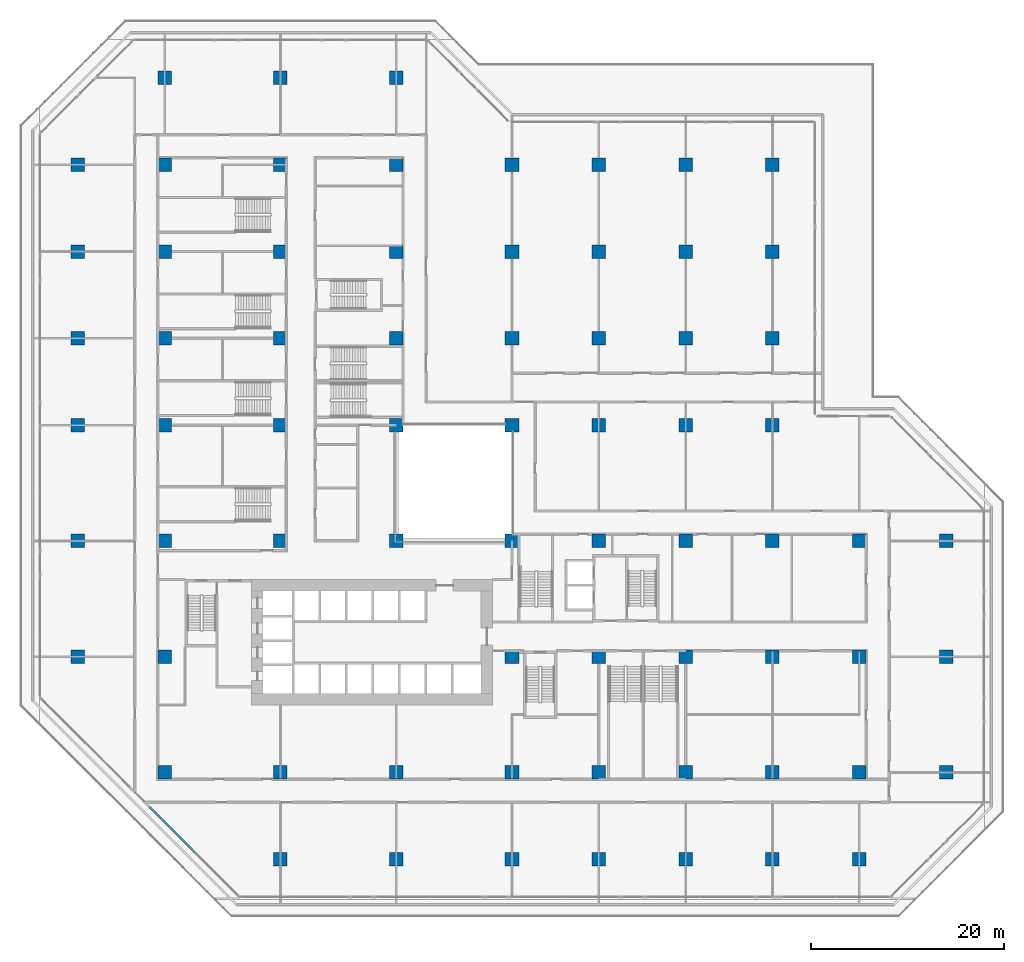
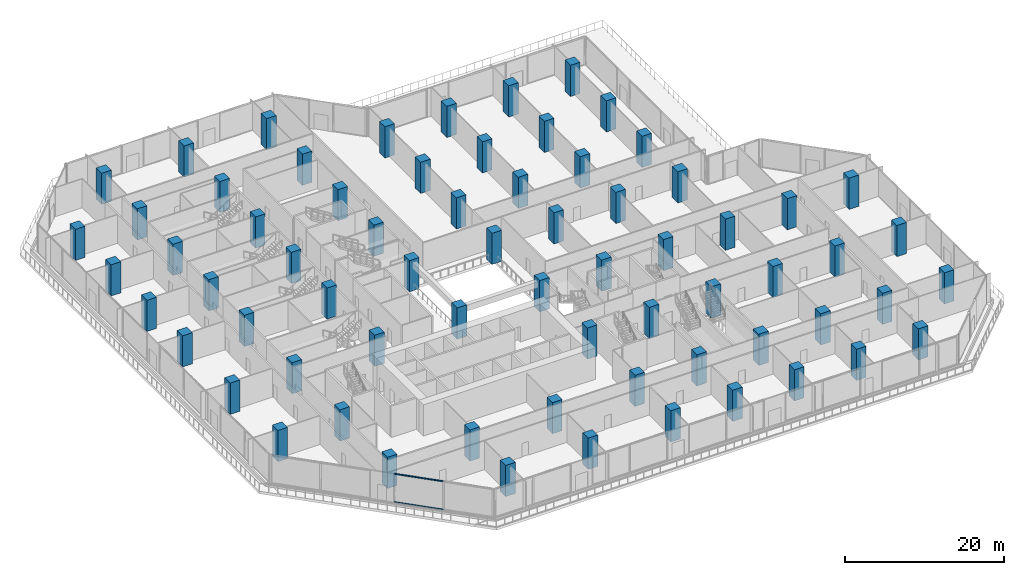
# One storey, part 1 of 31: 69 columns, 2 members, 1 element without a shape of its own.
"""IFC4 building model written with IfcOpenShell, lengths in metres."""

from ifc_helpers import new_model, si_unit, direction, frame, origin, origin_2d, place, context, subcontext, project, spatial, rectangle, extrude, material, layer, layer_set, material_profile, profile_set, type_object, element, aggregate, save


model = new_model("IFC4")

# Units and contexts
model_context = context("Model", 3, precision=1e-05, world=origin(), true_north=direction((0.0, 1.0)))
body_context = subcontext(model_context, "Body", "Model", "MODEL_VIEW")
ifc_project = project(units=[si_unit("LENGTHUNIT", "METRE"), si_unit("AREAUNIT", "SQUARE_METRE"), si_unit("VOLUMEUNIT", "CUBIC_METRE"), si_unit("PLANEANGLEUNIT", "RADIAN"), si_unit("MASSUNIT", "GRAM", prefix="KILO")], contexts=[model_context])

# Site, building, storey
site_placement = place(None, origin())
site = spatial("IfcSite", under=ifc_project, at=site_placement, CompositionType="ELEMENT")
building_placement = place(site_placement, origin())
building = spatial("IfcBuilding", under=site, at=building_placement, Name="Chenar Terraces", CompositionType="ELEMENT")
storey_placement = place(building_placement, frame((0.0, 0.0, 7.199951171875)))
storey = spatial("IfcBuildingStorey", under=building, at=storey_placement, Name="L01", CompositionType="ELEMENT", Elevation=7.199951171875)

# Columns
ifc_material_1 = material(Name="Concrete C60/75", Category="concrete")
ifc_material_profile_1 = material_profile(ifc_material_1, rectangle(XDim=1.39990234375, YDim=1.39990234375, at=origin_2d()), Name="C 1400 x 1400")
ifc_profile_set_1 = profile_set([ifc_material_profile_1], Name="Concrete C60/75")
column_type = type_object("IfcColumnType", Name="Column C 1400 x 1400 Concrete C60/75", PredefinedType="COLUMN", material=ifc_profile_set_1)
for number, where, z_axis, x_axis, name in (
    (1, (12.0, -9.0, 0.0), (0.0, 0.0, 1.0), (1.0, 0.0, 0.0), "Column 6/D L01"),
    (2, (24.0, -9.0, 0.0), (0.0, 0.0, 1.0), (1.0, 0.0, 0.0), "Column 7/D L01"),
    (3, (36.0, -9.0, 0.0), (0.0, 0.0, 1.0), (1.0, 0.0, 0.0), "Column 8/D L01"),
    (4, (45.0, -9.0, 0.0), (0.0, 0.0, 1.0), (1.0, 0.0, 0.0), "Column 9/D L01"),
    (5, (54.0, -9.0, 0.0), (0.0, 0.0, 1.0), (1.0, 0.0, 0.0), "Column 10/D L01"),
    (6, (63.0, -9.0, 0.0), (0.0, 0.0, 1.0), (1.0, 0.0, 0.0), "Column 11/D L01"),
    (7, (72.0, -9.0, 0.0), (0.0, 0.0, 1.0), (1.0, 0.0, 0.0), "Column 12/D L01"),
    (8, (0.0, 0.0, 0.0), (0.0, 0.0, 1.0), (1.0, 0.0, 0.0), "Column 5/E L01"),
    (9, (12.0, 0.0, 0.0), (0.0, 0.0, 1.0), (1.0, 0.0, 0.0), "Column 6/E L01"),
    (10, (24.0, 0.0, 0.0), (0.0, 0.0, 1.0), (1.0, 0.0, 0.0), "Column 7/E L01"),
    (11, (36.0, 0.0, 0.0), (0.0, 0.0, 1.0), (1.0, 0.0, 0.0), "Column 8/E L01"),
    (12, (45.0, 0.0, 0.0), (0.0, 0.0, 1.0), (1.0, 0.0, 0.0), "Column 9/E L01"),
    (13, (54.0, 0.0, 0.0), (0.0, 0.0, 1.0), (1.0, 0.0, 0.0), "Column 10/E L01"),
    (14, (63.0, 0.0, 0.0), (0.0, 0.0, 1.0), (1.0, 0.0, 0.0), "Column 11/E L01"),
    (15, (72.0, 0.0, 0.0), (0.0, 0.0, 1.0), (1.0, 0.0, 0.0), "Column 12/E L01"),
    (16, (81.0, 0.0, 0.0), (0.0, 0.0, 1.0), (1.0, 0.0, 0.0), "Column 13/E L01"),
    (17, (-9.0, 12.0, 0.0), (0.0, 0.0, 1.0), (1.0, 0.0, 0.0), "Column 4/F L01"),
    (18, (0.0, 12.0, 0.0), (0.0, 0.0, 1.0), (1.0, 0.0, 0.0), "Column 5/F L01"),
    (19, (36.0, 12.0, 0.0), (0.0, 0.0, 1.0), (1.0, 0.0, 0.0), "Column 8/F L01"),
    (20, (45.0, 12.0, 0.0), (0.0, 0.0, 1.0), (1.0, 0.0, 0.0), "Column 9/F L01"),
    (21, (54.0, 12.0, 0.0), (0.0, 0.0, 1.0), (1.0, 0.0, 0.0), "Column 10/F L01"),
    (22, (63.0, 12.0, 0.0), (0.0, 0.0, 1.0), (1.0, 0.0, 0.0), "Column 11/F L01"),
    (23, (72.0, 12.0, 0.0), (0.0, 0.0, 1.0), (1.0, 0.0, 0.0), "Column 12/F L01"),
    (24, (81.0, 12.0, 0.0), (0.0, 0.0, 1.0), (1.0, 0.0, 0.0), "Column 13/F L01"),
    (25, (-9.0, 24.0, 0.0), (0.0, 0.0, 1.0), (1.0, 0.0, 0.0), "Column 4/G L01"),
    (26, (0.0, 24.0, 0.0), (0.0, 0.0, 1.0), (1.0, 0.0, 0.0), "Column 5/G L01"),
    (27, (12.0, 24.0, 0.0), (0.0, 0.0, 1.0), (1.0, 0.0, 0.0), "Column 6/G L01"),
    (28, (24.0, 24.0, 0.0), (0.0, 0.0, 1.0), (1.0, 0.0, 0.0), "Column 7/G L01"),
    (29, (36.0, 24.0, 0.0), (0.0, 0.0, 1.0), (1.0, 0.0, 0.0), "Column 8/G L01"),
    (30, (45.0, 24.0, 0.0), (0.0, 0.0, 1.0), (1.0, 0.0, 0.0), "Column 9/G L01"),
    (31, (54.0, 24.0, 0.0), (0.0, 0.0, 1.0), (1.0, 0.0, 0.0), "Column 10/G L01"),
    (32, (63.0, 24.0, 0.0), (0.0, 0.0, 1.0), (1.0, 0.0, 0.0), "Column 11/G L01"),
    (33, (72.0, 24.0, 0.0), (0.0, 0.0, 1.0), (1.0, 0.0, 0.0), "Column 12/G L01"),
    (34, (81.0, 24.0, 0.0), (0.0, 0.0, 1.0), (1.0, 0.0, 0.0), "Column 13/G L01"),
    (35, (-9.0, 36.0, 0.0), (0.0, 0.0, 1.0), (1.0, 0.0, 0.0), "Column 4/H L01"),
    (36, (0.0, 36.0, 0.0), (0.0, 0.0, 1.0), (1.0, 0.0, 0.0), "Column 5/H L01"),
    (37, (12.0, 36.0, 0.0), (0.0, 0.0, 1.0), (1.0, 0.0, 0.0), "Column 6/H L01"),
    (38, (24.0, 36.0, 0.0), (0.0, 0.0, 1.0), (1.0, 0.0, 0.0), "Column 7/H L01"),
    (39, (36.0, 36.0, 0.0), (0.0, 0.0, 1.0), (1.0, 0.0, 0.0), "Column 8/H L01"),
    (40, (45.0, 36.0, 0.0), (0.0, 0.0, 1.0), (1.0, 0.0, 0.0), "Column 9/H L01"),
    (41, (54.0, 36.0, 0.0), (0.0, 0.0, 1.0), (1.0, 0.0, 0.0), "Column 10/H L01"),
    (42, (63.0, 36.0, 0.0), (0.0, 0.0, 1.0), (1.0, 0.0, 0.0), "Column 11/H L01"),
    (43, (-9.0, 45.0, 0.0), (0.0, 0.0, 1.0), (1.0, 0.0, 0.0), "Column 4/J L01"),
    (44, (0.0, 45.0, 0.0), (0.0, 0.0, 1.0), (1.0, 0.0, 0.0), "Column 5/J L01"),
    (45, (12.0, 45.0, 0.0), (0.0, 0.0, 1.0), (1.0, 0.0, 0.0), "Column 6/J L01"),
    (46, (24.0, 45.0, 0.0), (0.0, 0.0, 1.0), (1.0, 0.0, 0.0), "Column 7/J L01"),
    (47, (36.0, 45.0, 0.0), (0.0, 0.0, 1.0), (1.0, 0.0, 0.0), "Column 8/J L01"),
    (48, (45.0, 45.0, 0.0), (0.0, 0.0, 1.0), (1.0, 0.0, 0.0), "Column 9/J L01"),
    (49, (54.0, 45.0, 0.0), (0.0, 0.0, 1.0), (1.0, 0.0, 0.0), "Column 10/J L01"),
    (50, (63.0, 45.0, 0.0), (0.0, 0.0, 1.0), (1.0, 0.0, 0.0), "Column 11/J L01"),
    (51, (-9.0, 54.0, 0.0), (0.0, 0.0, 1.0), (1.0, 0.0, 0.0), "Column 4/K L01"),
    (52, (0.0, 54.0, 0.0), (0.0, 0.0, 1.0), (1.0, 0.0, 0.0), "Column 5/K L01"),
    (53, (12.0, 54.0, 0.0), (0.0, 0.0, 1.0), (1.0, 0.0, 0.0), "Column 6/K L01"),
    (54, (24.0, 54.0, 0.0), (0.0, 0.0, 1.0), (1.0, 0.0, 0.0), "Column 7/K L01"),
    (55, (36.0, 54.0, 0.0), (0.0, 0.0, 1.0), (1.0, 0.0, 0.0), "Column 8/K L01"),
    (56, (45.0, 54.0, 0.0), (0.0, 0.0, 1.0), (1.0, 0.0, 0.0), "Column 9/K L01"),
    (57, (54.0, 54.0, 0.0), (0.0, 0.0, 1.0), (1.0, 0.0, 0.0), "Column 10/K L01"),
    (58, (63.0, 54.0, 0.0), (0.0, 0.0, 1.0), (1.0, 0.0, 0.0), "Column 11/K L01"),
    (59, (-9.0, 63.0, 0.0), (0.0, 0.0, 1.0), (1.0, 0.0, 0.0), "Column 4/L L01"),
    (60, (0.0, 63.0, 0.0), (0.0, 0.0, 1.0), (1.0, 0.0, 0.0), "Column 5/L L01"),
    (61, (12.0, 63.0, 0.0), (0.0, 0.0, 1.0), (1.0, 0.0, 0.0), "Column 6/L L01"),
    (62, (24.0, 63.0, 0.0), (0.0, 0.0, 1.0), (1.0, 0.0, 0.0), "Column 7/L L01"),
    (63, (36.0, 63.0, 0.0), (0.0, 0.0, 1.0), (1.0, 0.0, 0.0), "Column 8/L L01"),
    (64, (45.0, 63.0, 0.0), (0.0, 0.0, 1.0), (1.0, 0.0, 0.0), "Column 9/L L01"),
    (65, (54.0, 63.0, 0.0), (0.0, 0.0, 1.0), (1.0, 0.0, 0.0), "Column 10/L L01"),
    (66, (63.0, 63.0, 0.0), (0.0, 0.0, 1.0), (1.0, 0.0, 0.0), "Column 11/L L01"),
    (67, (0.0, 72.0, 0.0), (0.0, 0.0, 1.0), (1.0, 0.0, 0.0), "Column 5/M L01"),
    (68, (12.0, 72.0, 0.0), (0.0, 0.0, 1.0), (1.0, 0.0, 0.0), "Column 6/M L01"),
    (69, (24.0, 72.0, 0.0), (0.0, 0.0, 1.0), (1.0, 0.0, 0.0), "Column 7/M L01"),
):
    element("IfcColumn", number, at=place(storey_placement, frame(where, z_axis=z_axis, x_axis=x_axis)), inside=storey, type_object=column_type, Name=name, PredefinedType="COLUMN", context=body_context, shape_type="SweptSolid", body=[
        extrude(rectangle(XDim=1.39990234375, YDim=1.39990234375, at=origin_2d()), origin(), (0.0, 0.0, 1.0), 4.800048828125),
    ])

# Curtain wall, members
ifc_material_2 = material(Name="Aluminium framed glazing", Category="aluminium")
ifc_layer = layer(ifc_material_2, 0.14990234375)
ifc_layer_set = layer_set([ifc_layer], Name="Aluminium framed glazing")
curtain_wall_type = type_object("IfcCurtainWallType", Name="School curtain wall", PredefinedType="NOTDEFINED", material=ifc_layer_set)
curtain_wall_placement = place(storey_placement, origin())
curtain_wall = element("IfcCurtainWall", 70, at=curtain_wall_placement, inside=storey, type_object=curtain_wall_type, Name="School curtain wall", PredefinedType="NOTDEFINED")
ifc_material_3 = material(Name="Aluminium", Category="aluminium")
ifc_material_profile_2 = material_profile(ifc_material_3, rectangle(XDim=0.070068359375, YDim=0.14990234375, at=origin_2d()), Name="School glazing transom 70 x 150")
ifc_profile_set_2 = profile_set([ifc_material_profile_2], Name="Aluminium")
member_type = type_object("IfcMemberType", Name="School glazing transom 70 x 150", PredefinedType="USERDEFINED", material=ifc_profile_set_2)
member_1_placement = place(storey_placement, frame((-1.459716796875, -3.69775390625, 0.03515625), z_axis=(0.707106781187, -0.707106781187, 0.0), x_axis=(0.707106781187, 0.707106781187, 0.0)))
member_1 = element("IfcMember", 71, at=member_1_placement, type_object=member_type, Name="CW2-05c1 transom 1.1", ObjectType="TRANSOM", PredefinedType="USERDEFINED", context=body_context, shape_type="SweptSolid", body=[
    extrude(rectangle(XDim=0.070068359375, YDim=0.14990234375, at=origin_2d()), origin(), (0.0, 0.0, 1.0), 6.39501953125),
])
member_2_placement = place(storey_placement, frame((-1.459716796875, -3.69775390625, 4.364990234375), z_axis=(0.707106781187, -0.707106781187, 0.0), x_axis=(0.707106781187, 0.707106781187, 0.0)))
member_2 = element("IfcMember", 72, at=member_2_placement, type_object=member_type, Name="CW2-05c1 transom 1.2", ObjectType="TRANSOM", PredefinedType="USERDEFINED", context=body_context, shape_type="SweptSolid", body=[
    extrude(rectangle(XDim=0.070068359375, YDim=0.14990234375, at=origin_2d()), origin(), (0.0, 0.0, 1.0), 6.39501953125),
])
aggregate(curtain_wall, [member_1, member_2])

save(model, "model.ifc")
